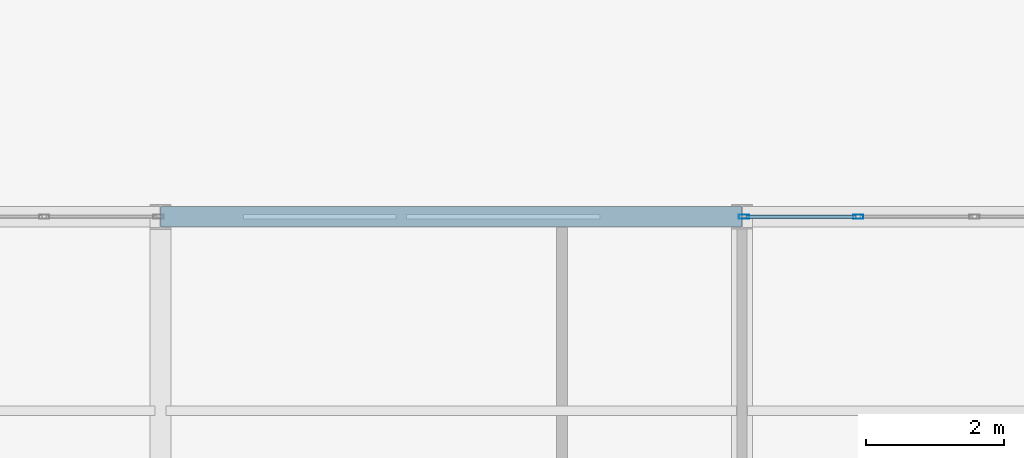
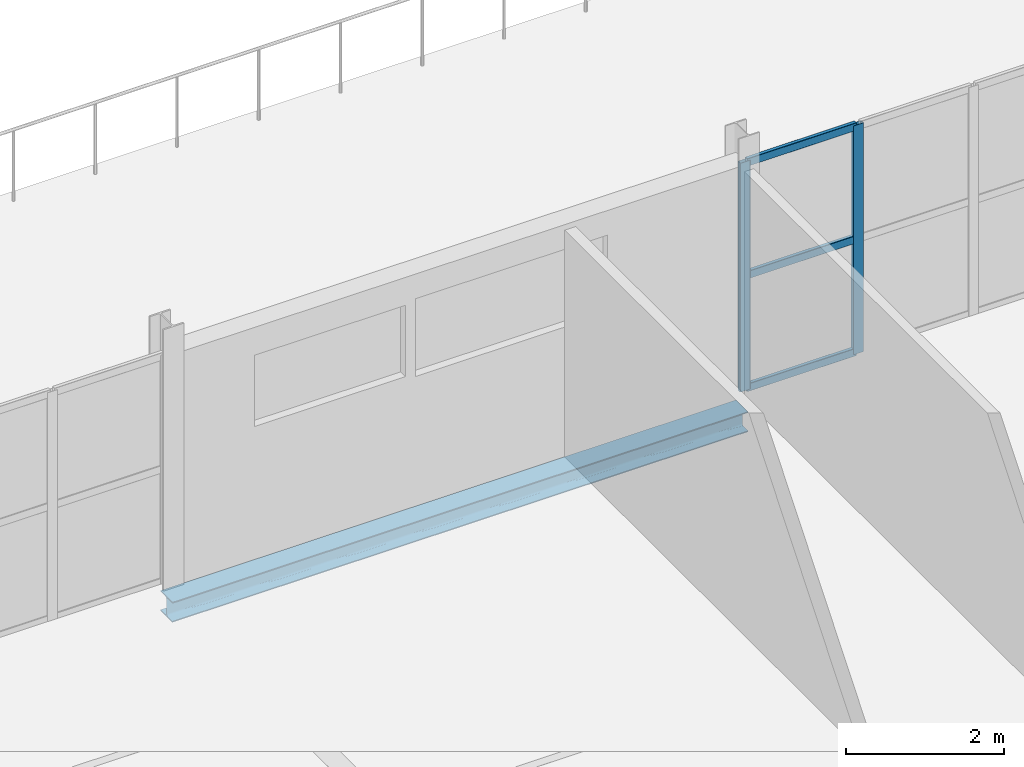
# One storey, part 101 of 184: 5 members, 1 beam, 1 element without a shape of its own.
"""IFC4 building model written with IfcOpenShell, lengths in metres."""

import ifcopenshell
import ifcopenshell.guid

model = None  # the IFC model being written
_history = None  # IfcOwnerHistory: only IFC2X3 demands one
_inside = {}  # id of a spatial element -> (the spatial element, [elements in it])
_under = {}  # id of a project, library or spatial element -> (it, [spatial elements below it])
_declared = {}  # id of a project -> (the project, [libraries it declares])
_typed = {}  # id of a type object -> (the type object, [elements of that type])
_made_of = {}  # id of a material, layer set ... -> (it, [elements and type objects made of it])


def new_model(schema):
    """Start an empty IFC model of exactly this schema.

    Asked for "IFC4X3", IfcOpenShell would pick the latest addendum, in which some entities
    have other attributes; the version numbers below select the first issue.
    IFC2X3 requires an IfcOwnerHistory on every rooted entity: one is made here for all.
    """
    global model, _history
    if schema == "IFC4X3":
        model = ifcopenshell.file(schema_version=(4, 3, 0, 0))
    else:
        model = ifcopenshell.file(schema=schema)
    _inside.clear()
    _under.clear()
    _declared.clear()
    _typed.clear()
    _made_of.clear()
    _history = None
    if model.schema == "IFC2X3":
        org = make("IfcOrganization", Name="unknown")
        user = make(
            "IfcPersonAndOrganization",
            ThePerson=make("IfcPerson", FamilyName="unknown"),
            TheOrganization=org,
        )
        app = make(
            "IfcApplication",
            ApplicationDeveloper=org,
            Version="unknown",
            ApplicationFullName="unknown",
            ApplicationIdentifier="unknown",
        )
        _history = make(
            "IfcOwnerHistory",
            OwningUser=user,
            OwningApplication=app,
            ChangeAction="ADDED",
            CreationDate=0,
        )
    return model


def make(cls, **values):
    """One entity of the class cls with the attributes given. An attribute that is None is left unset."""
    return model.create_entity(
        cls, **{name: value for name, value in values.items() if value is not None}
    )


def rooted(cls, **values):
    """An entity with a GlobalId (a new one), such as an element, a storey or a relation."""
    return make(cls, GlobalId=ifcopenshell.guid.new(), OwnerHistory=_history, **values)


def si_unit(unit_type, name, prefix=None):
    """IfcSIUnit, for example si_unit("LENGTHUNIT", "METRE", prefix="MILLI")."""
    return make("IfcSIUnit", UnitType=unit_type, Prefix=prefix, Name=name)


def assignment(units):
    """IfcUnitAssignment: the units of a project."""
    return None if units is None else make("IfcUnitAssignment", Units=units)


def point(xyz):
    """IfcCartesianPoint."""
    return None if xyz is None else make("IfcCartesianPoint", Coordinates=xyz)


def direction(xyz):
    """IfcDirection."""
    return None if xyz is None else make("IfcDirection", DirectionRatios=xyz)


def frame(location, z_axis=None, x_axis=None):
    """IfcAxis2Placement3D, a coordinate frame: its origin and axes. An axis left out is left unset."""
    return make(
        "IfcAxis2Placement3D",
        Location=point(location),
        Axis=direction(z_axis),
        RefDirection=direction(x_axis),
    )


def frame_2d(location, x_axis=None):
    """IfcAxis2Placement2D, a coordinate frame in the plane: its origin and x axis."""
    return make(
        "IfcAxis2Placement2D", Location=point(location), RefDirection=direction(x_axis)
    )


def origin():
    """The frame at (0, 0, 0) with its axes left unset."""
    return frame((0.0, 0.0, 0.0))


def origin_2d():
    """The frame at (0, 0) in the plane with its x axis left unset."""
    return frame_2d((0.0, 0.0))


def place(relative_to, where):
    """IfcLocalPlacement: puts the frame where relative to a parent placement (None: the world)."""
    return make(
        "IfcLocalPlacement", PlacementRelTo=relative_to, RelativePlacement=where
    )


def context(
    kind, dimensions, precision=None, world=None, true_north=None, identifier=None
):
    """IfcGeometricRepresentationContext, for example the 3D "Model" context."""
    return make(
        "IfcGeometricRepresentationContext",
        ContextIdentifier=identifier,
        ContextType=kind,
        CoordinateSpaceDimension=dimensions,
        Precision=precision,
        WorldCoordinateSystem=world,
        TrueNorth=true_north,
    )


def subcontext(parent, identifier, kind, view, scale=None):
    """IfcGeometricRepresentationSubContext, for example "Body" below "Model"."""
    return make(
        "IfcGeometricRepresentationSubContext",
        ContextIdentifier=identifier,
        ContextType=kind,
        ParentContext=parent,
        TargetScale=scale,
        TargetView=view,
    )


def project(units=None, contexts=None):
    """IfcProject with its units and contexts."""
    return rooted(
        "IfcProject",
        Name="project",
        RepresentationContexts=contexts,
        UnitsInContext=assignment(units),
    )


def spatial(cls, under=None, at=None, **own):
    """A site, building, storey or space (cls), placed at a placement, below another one or the project."""
    s = rooted(cls, ObjectPlacement=at, **own)
    if under is not None:
        _under.setdefault(under.id(), (under, []))[1].append(s)
    return s


def profile(cls, at=None, kind="AREA", **sizes):
    """A parametric profile (cls). Its sizes go by their IFC names, for example OverallWidth=200.0."""
    return make(cls, ProfileType=kind, Position=at, **sizes)


def hollow_rectangle(**sizes):
    """IfcRectangleHollowProfileDef."""
    return profile("IfcRectangleHollowProfileDef", **sizes)


def i_section(**sizes):
    """IfcIShapeProfileDef."""
    return profile("IfcIShapeProfileDef", **sizes)


def extrude(swept, where, along, depth):
    """IfcExtrudedAreaSolid: the profile swept, set in the frame where, extruded along a direction by depth."""
    return make(
        "IfcExtrudedAreaSolid",
        SweptArea=swept,
        Position=where,
        ExtrudedDirection=direction(along),
        Depth=depth,
    )


def shape(context_of_items, identifier, shape_type, items):
    """IfcShapeRepresentation: the items that make up one representation, for example the "Body"."""
    return make(
        "IfcShapeRepresentation",
        ContextOfItems=context_of_items,
        RepresentationIdentifier=identifier,
        RepresentationType=shape_type,
        Items=items,
    )


def material(Name=None, Category=None):
    """IfcMaterial."""
    return make("IfcMaterial", Name=Name, Category=Category)


def layer(
    of_material, thickness, ventilated=None, Name=None, Category=None, Priority=None
):
    """IfcMaterialLayer: one layer of a wall or slab, of a material (None: an air gap)."""
    return make(
        "IfcMaterialLayer",
        Material=of_material,
        LayerThickness=thickness,
        IsVentilated=ventilated,
        Name=Name,
        Category=Category,
        Priority=Priority,
    )


def layer_set(layers, Name=None):
    """IfcMaterialLayerSet."""
    return make("IfcMaterialLayerSet", MaterialLayers=layers, LayerSetName=Name)


def material_profile(
    of_material, cross_section, Name=None, Category=None, Priority=None
):
    """IfcMaterialProfile: a cross section and its material."""
    return make(
        "IfcMaterialProfile",
        Name=Name,
        Material=of_material,
        Profile=cross_section,
        Priority=Priority,
        Category=Category,
    )


def profile_set(profiles, Name=None, composite=None):
    """IfcMaterialProfileSet."""
    return make(
        "IfcMaterialProfileSet",
        Name=Name,
        MaterialProfiles=profiles,
        CompositeProfile=composite,
    )


def made_of(thing, what):
    """Note that an element or type object is made of a material, layer set ...; save() writes the relation."""
    if what is not None:
        _made_of.setdefault(what.id(), (what, []))[1].append(thing)
    return thing


def type_object(cls, material=None, **own):
    """A type object (cls), such as IfcWallType, which elements share."""
    return made_of(rooted(cls, **own), material)


def element(
    cls,
    number,
    at=None,
    inside=None,
    cuts=None,
    type_object=None,
    material=None,
    context=None,
    identifier="Body",
    shape_type=None,
    held_by="IfcProductDefinitionShape",
    body=None,
    shapes=None,
    **own,
):
    """One element of the class cls, such as IfcWall. Its Tag is "e" and its number.

    at: its placement. inside: the storey or other place that contains it. cuts: it is an
    opening in that element (IfcRelVoidsElement). A single representation is given by context,
    identifier, shape_type and body (its items); several are given by shapes. held_by: the class
    of the entity that holds the representations. save() writes the other relations.
    """
    e = rooted(cls, Tag="e%d" % number, ObjectPlacement=at, **own)
    if body is not None:
        shapes = [shape(context, identifier, shape_type, body)]
    if shapes is not None:
        e.Representation = make(held_by, Representations=shapes)
    if inside is not None:
        _inside.setdefault(inside.id(), (inside, []))[1].append(e)
    if cuts is not None:
        rooted(
            "IfcRelVoidsElement", RelatingBuildingElement=cuts, RelatedOpeningElement=e
        )
    if type_object is not None:
        _typed.setdefault(type_object.id(), (type_object, []))[1].append(e)
    return made_of(e, material)


def aggregate(whole, parts):
    """IfcRelAggregates: a whole, such as a stair, and the parts it consists of."""
    return rooted("IfcRelAggregates", RelatingObject=whole, RelatedObjects=parts)


def save(model, path):
    """Write the relations noted so far, then the file.

    IfcRelAggregates (storeys below a building ...), IfcRelContainedInSpatialStructure (elements
    in a storey), IfcRelDefinesByType, IfcRelAssociatesMaterial and IfcRelDeclares: one each for
    every whole, place, type object, material and project.
    """
    for whole, parts in _under.values():
        aggregate(whole, parts)
    for where, things in _inside.values():
        rooted(
            "IfcRelContainedInSpatialStructure",
            RelatedElements=things,
            RelatingStructure=where,
        )
    for kind, things in _typed.values():
        rooted("IfcRelDefinesByType", RelatedObjects=things, RelatingType=kind)
    for what, things in _made_of.values():
        rooted("IfcRelAssociatesMaterial", RelatedObjects=things, RelatingMaterial=what)
    for by, libraries in _declared.values():
        rooted("IfcRelDeclares", RelatingContext=by, RelatedDefinitions=libraries)
    model.write(path)


model = new_model("IFC4")

# Units and contexts
model_context = context("Model", 3, precision=1e-05, world=origin(), true_north=direction((0.0, 1.0)))
body_context = subcontext(model_context, "Body", "Model", "MODEL_VIEW")
ifc_project = project(units=[si_unit("LENGTHUNIT", "METRE"), si_unit("AREAUNIT", "SQUARE_METRE"), si_unit("VOLUMEUNIT", "CUBIC_METRE"), si_unit("PLANEANGLEUNIT", "RADIAN"), si_unit("MASSUNIT", "GRAM", prefix="KILO")], contexts=[model_context])

# Site, building, storey
site_placement = place(None, origin())
site = spatial("IfcSite", under=ifc_project, at=site_placement, CompositionType="ELEMENT")
building_placement = place(site_placement, origin())
building = spatial("IfcBuilding", under=site, at=building_placement, Name="Qalvenar Corner Mobility Hub", CompositionType="ELEMENT")
storey_placement = place(building_placement, frame((0.0, 0.0, 9.0)))
storey = spatial("IfcBuildingStorey", under=building, at=storey_placement, Name="L02", CompositionType="ELEMENT", Elevation=9.0)

# Beam
ifc_material_1 = material(Name="Steel S355", Category="steel")
ifc_material_profile_1 = material_profile(ifc_material_1, i_section(OverallWidth=0.300048828125, OverallDepth=0.31005859375, WebThickness=0.009033203125, FlangeThickness=0.015380859375, FilletRadius=0.027099609375, at=origin_2d()), Name="HEA320")
ifc_profile_set_1 = profile_set([ifc_material_profile_1], Name="Steel S355")
beam_type = type_object("IfcBeamType", Name="BM-SPN320", PredefinedType="SPANDREL", material=ifc_profile_set_1)
beam_placement = place(storey_placement, frame((117.60009765625, 42.0, -0.39697265625), z_axis=(1.0, 0.0, 0.0), x_axis=(0.0, 1.0, 0.0)))
element("IfcBeam", 1, at=beam_placement, inside=storey, type_object=beam_type, Name="Primary Steel Girder GX-1705", PredefinedType="SPANDREL", context=body_context, shape_type="SweptSolid", body=[
    extrude(i_section(OverallWidth=0.300048828125, OverallDepth=0.31005859375, WebThickness=0.009033203125, FlangeThickness=0.015380859375, FilletRadius=0.027099609375, at=origin_2d()), origin(), (0.0, 0.0, 1.0), 8.39990234375),
])

# Curtain wall, members
ifc_material_2 = material(Name="Anodised Aluminium and Low-E Glazing", Category="aluminium")
ifc_layer = layer(ifc_material_2, 0.14990234375)
ifc_layer_set = layer_set([ifc_layer], Name="Anodised Aluminium and Low-E Glazing")
curtain_wall_type = type_object("IfcCurtainWallType", Name="CW-WKS-84X44", PredefinedType="NOTDEFINED", material=ifc_layer_set)
curtain_wall_placement = place(storey_placement, origin())
curtain_wall = element("IfcCurtainWall", 2, at=curtain_wall_placement, inside=storey, type_object=curtain_wall_type, Name="Glazed Curtain Wall CW-V6-L02-N2", PredefinedType="NOTDEFINED")
ifc_material_3 = material(Name="Anodised Aluminium 6063-T6", Category="aluminium")
ifc_material_profile_2 = material_profile(ifc_material_3, hollow_rectangle(XDim=0.06005859375, YDim=0.14990234375, WallThickness=0.00390625, InnerFilletRadius=0.00390625, OuterFilletRadius=0.008056640625, at=origin_2d()), Name="RHS150x60x4")
ifc_profile_set_2 = profile_set([ifc_material_profile_2], Name="Anodised Aluminium 6063-T6")
member_type_1 = type_object("IfcMemberType", Name="CW-MUL150", PredefinedType="MULLION", material=ifc_profile_set_2)
member_1_placement = place(storey_placement, frame((127.679931640625, 42.0, 0.0), z_axis=(0.0, 0.0, 1.0), x_axis=(0.0, -1.0, 0.0)))
member_1 = element("IfcMember", 3, at=member_1_placement, type_object=member_type_1, Name="CW-09 mullion 5", PredefinedType="MULLION", context=body_context, shape_type="SweptSolid", body=[
    extrude(hollow_rectangle(XDim=0.06005859375, YDim=0.14990234375, WallThickness=0.00390625, InnerFilletRadius=0.00390625, OuterFilletRadius=0.008056640625, at=origin_2d()), origin(), (0.0, 0.0, 1.0), 3.530029296875),
])
member_2_placement = place(storey_placement, frame((126.030029296875, 42.0, 0.0), z_axis=(0.0, 0.0, 1.0), x_axis=(0.0, -1.0, 0.0)))
member_2 = element("IfcMember", 4, at=member_2_placement, type_object=member_type_1, Name="CW-09 mullion 6", PredefinedType="MULLION", context=body_context, shape_type="SweptSolid", body=[
    extrude(hollow_rectangle(XDim=0.06005859375, YDim=0.14990234375, WallThickness=0.00390625, InnerFilletRadius=0.00390625, OuterFilletRadius=0.008056640625, at=origin_2d()), origin(), (0.0, 0.0, 1.0), 3.530029296875),
])
ifc_material_profile_3 = material_profile(ifc_material_3, hollow_rectangle(XDim=0.054931640625, YDim=0.1201171875, WallThickness=0.00341796875, InnerFilletRadius=0.00341796875, OuterFilletRadius=0.007080078125, at=origin_2d()), Name="RHS120x55x3.5")
ifc_profile_set_3 = profile_set([ifc_material_profile_3], Name="Anodised Aluminium 6063-T6")
member_type_2 = type_object("IfcMemberType", Name="CW-TRN120", PredefinedType="USERDEFINED", material=ifc_profile_set_3)
member_3_placement = place(storey_placement, frame((127.64990234375, 42.0, 0.027587890625), z_axis=(-1.0, 0.0, 0.0), x_axis=(0.0, -1.0, 0.0)))
member_3 = element("IfcMember", 5, at=member_3_placement, type_object=member_type_2, Name="CW-09 transom 5.1", ObjectType="TRANSOM", PredefinedType="USERDEFINED", context=body_context, shape_type="SweptSolid", body=[
    extrude(hollow_rectangle(XDim=0.054931640625, YDim=0.1201171875, WallThickness=0.00341796875, InnerFilletRadius=0.00341796875, OuterFilletRadius=0.007080078125, at=origin_2d()), origin(), (0.0, 0.0, 1.0), 1.58984375),
])
member_4_placement = place(storey_placement, frame((127.64990234375, 42.0, 1.764892578125), z_axis=(-1.0, 0.0, 0.0), x_axis=(0.0, -1.0, 0.0)))
member_4 = element("IfcMember", 6, at=member_4_placement, type_object=member_type_2, Name="CW-09 transom 5.2", ObjectType="TRANSOM", PredefinedType="USERDEFINED", context=body_context, shape_type="SweptSolid", body=[
    extrude(hollow_rectangle(XDim=0.054931640625, YDim=0.1201171875, WallThickness=0.00341796875, InnerFilletRadius=0.00341796875, OuterFilletRadius=0.007080078125, at=origin_2d()), origin(), (0.0, 0.0, 1.0), 1.58984375),
])
member_5_placement = place(storey_placement, frame((127.64990234375, 42.0, 3.50244140625), z_axis=(-1.0, 0.0, 0.0), x_axis=(0.0, -1.0, 0.0)))
member_5 = element("IfcMember", 7, at=member_5_placement, type_object=member_type_2, Name="CW-09 transom 5.3", ObjectType="TRANSOM", PredefinedType="USERDEFINED", context=body_context, shape_type="SweptSolid", body=[
    extrude(hollow_rectangle(XDim=0.054931640625, YDim=0.1201171875, WallThickness=0.00341796875, InnerFilletRadius=0.00341796875, OuterFilletRadius=0.007080078125, at=origin_2d()), origin(), (0.0, 0.0, 1.0), 1.58984375),
])
aggregate(curtain_wall, [member_1, member_2, member_3, member_4, member_5])

save(model, "model.ifc")
